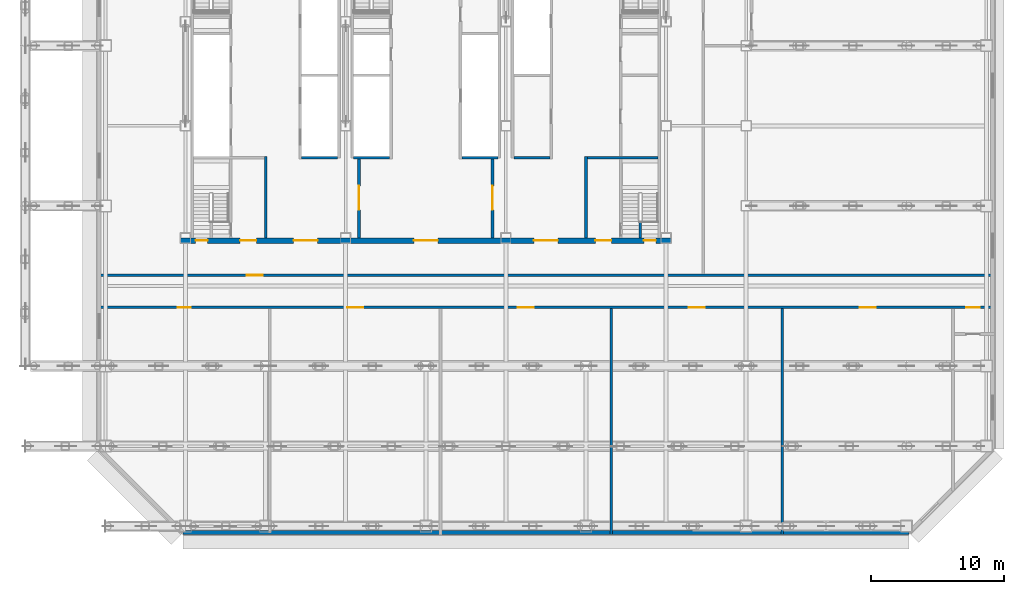
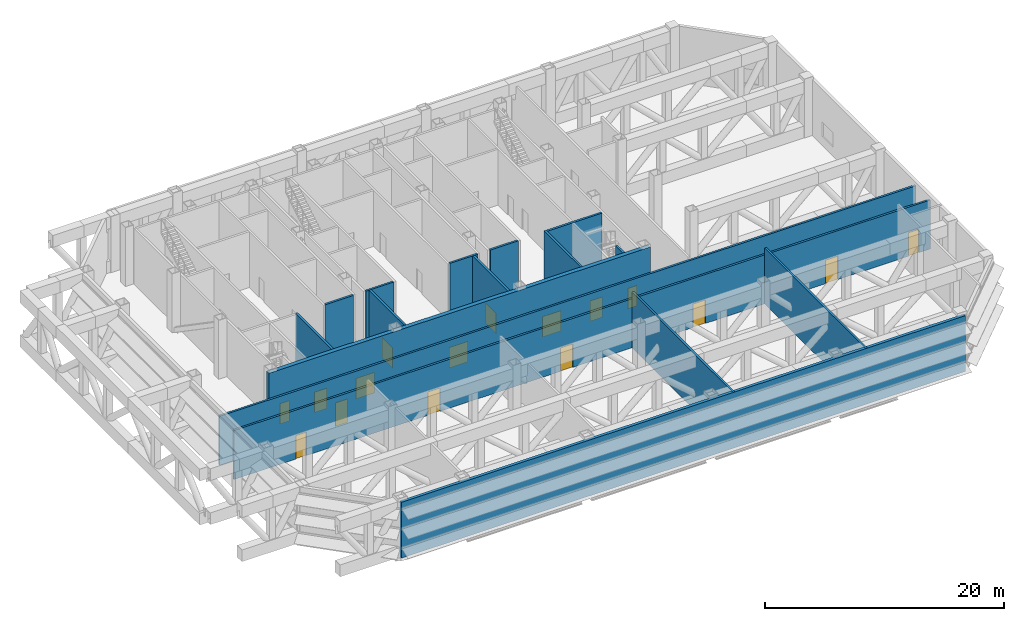
# One storey, part 6 of 17: 16 doors, 16 walls, 16 openings.
"""IFC4 building model written with IfcOpenShell, lengths in metres."""

from ifc_helpers import new_model, si_unit, direction, frame, frame_2d, origin, place, context, subcontext, project, spatial, rectangle, extrude, material, layer, layer_set, type_object, element, fill, save


model = new_model("IFC4")

# Units and contexts
model_context = context("Model", 3, precision=1e-05, world=origin(), true_north=direction((0.0, 1.0)))
body_context = subcontext(model_context, "Body", "Model", "MODEL_VIEW")
ifc_project = project(units=[si_unit("LENGTHUNIT", "METRE"), si_unit("AREAUNIT", "SQUARE_METRE"), si_unit("VOLUMEUNIT", "CUBIC_METRE"), si_unit("PLANEANGLEUNIT", "RADIAN"), si_unit("MASSUNIT", "GRAM", prefix="KILO")], contexts=[model_context])

# Site, building, storey
site_placement = place(None, origin())
site = spatial("IfcSite", under=ifc_project, at=site_placement, CompositionType="ELEMENT")
building_placement = place(site_placement, origin())
building = spatial("IfcBuilding", under=site, at=building_placement, Name="Sorahane Residences", CompositionType="ELEMENT")
storey_placement = place(building_placement, frame((0.0, 0.0, 90.199951171875)))
storey = spatial("IfcBuildingStorey", under=building, at=storey_placement, Name="L19", CompositionType="ELEMENT", Elevation=90.199951171875)

# Wall, opening, door
ifc_material_1 = material(Name="Concrete blockwork C20 wall", Category="masonry")
ifc_layer_1 = layer(ifc_material_1, 0.199951171875)
ifc_layer_set_1 = layer_set([ifc_layer_1], Name="Corridor wall 200 EI 120")
wall_type_1 = type_object("IfcWallType", Name="Corridor wall 200 EI 120", PredefinedType="SOLIDWALL", material=ifc_layer_set_1)
wall_1_placement = place(storey_placement, frame((-0.60009765625, 18.800048828125, 0.0), z_axis=(0.0, 0.0, 1.0), x_axis=(1.0, 0.0, 0.0)))
wall_1 = element("IfcWall", 1, at=wall_1_placement, inside=storey, type_object=wall_type_1, Name="L19 corridor wall", PredefinedType="SOLIDWALL", context=body_context, shape_type="SweptSolid", body=[
    extrude(rectangle(XDim=67.2001953125, YDim=0.199951171875, at=frame_2d((33.60009765625, 0.0))), origin(), (0.0, 0.0, 1.0), 5.0),
])
opening_1_placement = place(wall_1_placement, frame((11.199951171875, 0.0, 0.0)))
opening_1 = element("IfcOpeningElement", 2, at=opening_1_placement, cuts=wall_1, Name="Opening L19-08", PredefinedType="OPENING", context=body_context, shape_type="SweptSolid", body=[
    extrude(rectangle(XDim=1.199951171875, YDim=2.39990234375, at=frame_2d((0.60009765625, 1.199951171875))), frame((0.0, 0.10986328125, 0.0), z_axis=(0.0, -1.0, 0.0), x_axis=(1.0, 0.0, 0.0)), (0.0, 0.0, 1.0), 0.219970703125),
])
ifc_material_2 = material(Name="Steel", Category="steel")
door_type_1 = type_object("IfcDoorType", Name="Lobby door 1200x2400 FD60", OperationType="NOTDEFINED", PredefinedType="DOOR", material=ifc_material_2)
door_1_placement = place(opening_1_placement, frame((1.199951171875, 0.0, 0.0), z_axis=(0.0, 0.0, 1.0), x_axis=(-1.0, 0.0, 0.0)))
door_1 = element("IfcDoor", 3, at=door_1_placement, inside=storey, type_object=door_type_1, Name="Lobby door L19-08", OperationType="SINGLE_SWING_LEFT", OverallHeight=2.39990234375, OverallWidth=1.199951171875, PredefinedType="DOOR", context=body_context, shape_type="SweptSolid", body=[
    extrude(rectangle(XDim=1.199951171875, YDim=2.39990234375, at=frame_2d((0.60009765625, 1.199951171875))), frame((0.0, 0.02490234375, 0.0), z_axis=(0.0, -1.0, 0.0), x_axis=(1.0, 0.0, 0.0)), (0.0, 0.0, 1.0), 0.050048828125),
])
fill(opening_1, door_1)

# Wall
ifc_material_3 = material(Name="Graphite insulated metal-clad wall")
ifc_layer_2 = layer(ifc_material_3, 0.300048828125)
ifc_layer_set_2 = layer_set([ifc_layer_2], Name="External wall insulated metal-clad 300")
wall_type_2 = type_object("IfcWallType", Name="External wall insulated metal-clad 300", PredefinedType="SOLIDWALL", material=ifc_layer_set_2)
wall_2_placement = place(storey_placement, frame((5.805419921875, -0.469970703125, 0.0), z_axis=(0.0, 0.0, 1.0), x_axis=(1.0, 0.0, 0.0)))
element("IfcWall", 4, at=wall_2_placement, inside=storey, type_object=wall_type_2, Name="External plant wall L19 S1", PredefinedType="SOLIDWALL", context=body_context, shape_type="SweptSolid", body=[
    extrude(rectangle(XDim=54.38916015625, YDim=0.300048828125, at=frame_2d((27.194580078125, 0.0))), origin(), (0.0, 0.0, 1.0), 5.699951171875),
])

# Wall, openings, doors
ifc_material_4 = material(Name="Concrete blockwork C20 wall", Category="masonry")
ifc_layer_3 = layer(ifc_material_4, 0.199951171875)
ifc_layer_set_3 = layer_set([ifc_layer_3], Name="Fire wall 200 EI 120")
wall_type_3 = type_object("IfcWallType", Name="Fire wall 200 EI 120", PredefinedType="SOLIDWALL", material=ifc_layer_set_3)
wall_3_placement = place(storey_placement, frame((-0.60009765625, 16.39990234375, 0.0), z_axis=(0.0, 0.0, 1.0), x_axis=(1.0, 0.0, 0.0)))
wall_3 = element("IfcWall", 5, at=wall_3_placement, inside=storey, type_object=wall_type_3, Name="L19 fire wall", PredefinedType="SOLIDWALL", context=body_context, shape_type="SweptSolid", body=[
    extrude(rectangle(XDim=67.2001953125, YDim=0.199951171875, at=frame_2d((33.60009765625, 0.0))), origin(), (0.0, 0.0, 1.0), 5.0),
])
opening_2_placement = place(wall_3_placement, frame((6.0, 0.0, 0.0)))
opening_2 = element("IfcOpeningElement", 6, at=opening_2_placement, cuts=wall_3, Name="Opening L19-01", PredefinedType="OPENING", context=body_context, shape_type="SweptSolid", body=[
    extrude(rectangle(XDim=1.0, YDim=2.39990234375, at=frame_2d((0.5, 1.199951171875))), frame((0.0, 0.10986328125, 0.0), z_axis=(0.0, -1.0, 0.0), x_axis=(1.0, 0.0, 0.0)), (0.0, 0.0, 1.0), 0.219970703125),
])
opening_3_placement = place(wall_3_placement, frame((18.699951171875, 0.0, 0.0)))
opening_3 = element("IfcOpeningElement", 7, at=opening_3_placement, cuts=wall_3, Name="Opening L19-02", PredefinedType="OPENING", context=body_context, shape_type="SweptSolid", body=[
    extrude(rectangle(XDim=1.199951171875, YDim=2.39990234375, at=frame_2d((0.60009765625, 1.199951171875))), frame((0.0, 0.10986328125, 0.0), z_axis=(0.0, -1.0, 0.0), x_axis=(1.0, 0.0, 0.0)), (0.0, 0.0, 1.0), 0.219970703125),
])
opening_4_placement = place(wall_3_placement, frame((31.5, 0.0, 0.0)))
opening_4 = element("IfcOpeningElement", 8, at=opening_4_placement, cuts=wall_3, Name="Opening L19-03", PredefinedType="OPENING", context=body_context, shape_type="SweptSolid", body=[
    extrude(rectangle(XDim=1.199951171875, YDim=2.39990234375, at=frame_2d((0.60009765625, 1.199951171875))), frame((0.0, 0.10986328125, 0.0), z_axis=(0.0, -1.0, 0.0), x_axis=(1.0, 0.0, 0.0)), (0.0, 0.0, 1.0), 0.219970703125),
])
opening_5_placement = place(wall_3_placement, frame((44.300048828125, 0.0, 0.0)))
opening_5 = element("IfcOpeningElement", 9, at=opening_5_placement, cuts=wall_3, Name="Opening L19-04", PredefinedType="OPENING", context=body_context, shape_type="SweptSolid", body=[
    extrude(rectangle(XDim=1.199951171875, YDim=2.39990234375, at=frame_2d((0.60009765625, 1.199951171875))), frame((0.0, 0.10986328125, 0.0), z_axis=(0.0, -1.0, 0.0), x_axis=(1.0, 0.0, 0.0)), (0.0, 0.0, 1.0), 0.219970703125),
])
opening_6_placement = place(wall_3_placement, frame((57.10009765625, 0.0, 0.0)))
opening_6 = element("IfcOpeningElement", 10, at=opening_6_placement, cuts=wall_3, Name="Opening L19-05", PredefinedType="OPENING", context=body_context, shape_type="SweptSolid", body=[
    extrude(rectangle(XDim=1.199951171875, YDim=2.39990234375, at=frame_2d((0.60009765625, 1.199951171875))), frame((0.0, 0.10986328125, 0.0), z_axis=(0.0, -1.0, 0.0), x_axis=(1.0, 0.0, 0.0)), (0.0, 0.0, 1.0), 0.219970703125),
])
opening_7_placement = place(wall_3_placement, frame((65.10009765625, 0.0, 0.0)))
opening_7 = element("IfcOpeningElement", 11, at=opening_7_placement, cuts=wall_3, Name="Opening L19-06", PredefinedType="OPENING", context=body_context, shape_type="SweptSolid", body=[
    extrude(rectangle(XDim=1.0, YDim=2.39990234375, at=frame_2d((0.5, 1.199951171875))), frame((0.0, 0.10986328125, 0.0), z_axis=(0.0, -1.0, 0.0), x_axis=(1.0, 0.0, 0.0)), (0.0, 0.0, 1.0), 0.219970703125),
])
ifc_material_5 = material(Name="Steel", Category="steel")
door_type_2 = type_object("IfcDoorType", Name="Fire door 1000x2400 FD60", OperationType="NOTDEFINED", PredefinedType="DOOR", material=ifc_material_5)
door_2_placement = place(opening_2_placement, origin())
door_2 = element("IfcDoor", 12, at=door_2_placement, inside=storey, type_object=door_type_2, Name="Fire door L19-01", OperationType="SINGLE_SWING_LEFT", OverallHeight=2.39990234375, OverallWidth=1.0, PredefinedType="DOOR", context=body_context, shape_type="SweptSolid", body=[
    extrude(rectangle(XDim=1.0, YDim=2.39990234375, at=frame_2d((0.5, 1.199951171875))), frame((0.0, 0.02490234375, 0.0), z_axis=(0.0, -1.0, 0.0), x_axis=(1.0, 0.0, 0.0)), (0.0, 0.0, 1.0), 0.050048828125),
])
fill(opening_2, door_2)
door_3_placement = place(opening_7_placement, origin())
door_3 = element("IfcDoor", 13, at=door_3_placement, inside=storey, type_object=door_type_2, Name="Fire door L19-06", OperationType="SINGLE_SWING_RIGHT", OverallHeight=2.39990234375, OverallWidth=1.0, PredefinedType="DOOR", context=body_context, shape_type="SweptSolid", body=[
    extrude(rectangle(XDim=1.0, YDim=2.39990234375, at=frame_2d((0.5, 1.199951171875))), frame((0.0, 0.02490234375, 0.0), z_axis=(0.0, -1.0, 0.0), x_axis=(1.0, 0.0, 0.0)), (0.0, 0.0, 1.0), 0.050048828125),
])
fill(opening_7, door_3)
ifc_material_6 = material(Name="Steel", Category="steel")
door_type_3 = type_object("IfcDoorType", Name="Plant door 1200x2400 FD60", OperationType="NOTDEFINED", PredefinedType="DOOR", material=ifc_material_6)
door_4_placement = place(opening_3_placement, origin())
door_4 = element("IfcDoor", 14, at=door_4_placement, inside=storey, type_object=door_type_3, Name="Plant door L19-02", OperationType="SINGLE_SWING_RIGHT", OverallHeight=2.39990234375, OverallWidth=1.199951171875, PredefinedType="DOOR", context=body_context, shape_type="SweptSolid", body=[
    extrude(rectangle(XDim=1.199951171875, YDim=2.39990234375, at=frame_2d((0.60009765625, 1.199951171875))), frame((0.0, 0.02490234375, 0.0), z_axis=(0.0, -1.0, 0.0), x_axis=(1.0, 0.0, 0.0)), (0.0, 0.0, 1.0), 0.050048828125),
])
fill(opening_3, door_4)
door_5_placement = place(opening_4_placement, frame((1.199951171875, 0.0, 0.0), z_axis=(0.0, 0.0, 1.0), x_axis=(-1.0, 0.0, 0.0)))
door_5 = element("IfcDoor", 15, at=door_5_placement, inside=storey, type_object=door_type_3, Name="Plant door L19-03", OperationType="SINGLE_SWING_RIGHT", OverallHeight=2.39990234375, OverallWidth=1.199951171875, PredefinedType="DOOR", context=body_context, shape_type="SweptSolid", body=[
    extrude(rectangle(XDim=1.199951171875, YDim=2.39990234375, at=frame_2d((0.60009765625, 1.199951171875))), frame((0.0, 0.02490234375, 0.0), z_axis=(0.0, -1.0, 0.0), x_axis=(1.0, 0.0, 0.0)), (0.0, 0.0, 1.0), 0.050048828125),
])
fill(opening_4, door_5)
door_6_placement = place(opening_5_placement, frame((1.199951171875, 0.0, 0.0), z_axis=(0.0, 0.0, 1.0), x_axis=(-1.0, 0.0, 0.0)))
door_6 = element("IfcDoor", 16, at=door_6_placement, inside=storey, type_object=door_type_3, Name="Plant door L19-04", OperationType="SINGLE_SWING_LEFT", OverallHeight=2.39990234375, OverallWidth=1.199951171875, PredefinedType="DOOR", context=body_context, shape_type="SweptSolid", body=[
    extrude(rectangle(XDim=1.199951171875, YDim=2.39990234375, at=frame_2d((0.60009765625, 1.199951171875))), frame((0.0, 0.02490234375, 0.0), z_axis=(0.0, -1.0, 0.0), x_axis=(1.0, 0.0, 0.0)), (0.0, 0.0, 1.0), 0.050048828125),
])
fill(opening_5, door_6)
door_7_placement = place(opening_6_placement, origin())
door_7 = element("IfcDoor", 17, at=door_7_placement, inside=storey, type_object=door_type_3, Name="Plant door L19-05", OperationType="SINGLE_SWING_LEFT", OverallHeight=2.39990234375, OverallWidth=1.199951171875, PredefinedType="DOOR", context=body_context, shape_type="SweptSolid", body=[
    extrude(rectangle(XDim=1.199951171875, YDim=2.39990234375, at=frame_2d((0.60009765625, 1.199951171875))), frame((0.0, 0.02490234375, 0.0), z_axis=(0.0, -1.0, 0.0), x_axis=(1.0, 0.0, 0.0)), (0.0, 0.0, 1.0), 0.050048828125),
])
fill(opening_6, door_7)

# Walls
ifc_material_7 = material(Name="Concrete C30", Category="concrete")
ifc_layer_4 = layer(ifc_material_7, 0.199951171875)
ifc_layer_set_4 = layer_set([ifc_layer_4], Name="Front room wall 200 EI 120")
wall_type_4 = type_object("IfcWallType", Name="Front room wall 200 EI 120", PredefinedType="PARTITIONING", material=ifc_layer_set_4)
for number, where, z_axis, x_axis, name in (
    (18, (12.0, 21.60009765625, 0.0), (0.0, 0.0, 1.0), (0.0, 1.0, 0.0), "L19 front room wall"),
    (19, (36.0, 21.60009765625, 0.0), (0.0, 0.0, 1.0), (0.0, 1.0, 0.0), "L19 front room wall"),
):
    element("IfcWall", number, at=place(storey_placement, frame(where, z_axis=z_axis, x_axis=x_axis)), inside=storey, type_object=wall_type_4, Name=name, PredefinedType="PARTITIONING", context=body_context, shape_type="SweptSolid", body=[
        extrude(rectangle(XDim=6.099853515625, YDim=0.199951171875, at=frame_2d((3.0498046875, 0.0))), origin(), (0.0, 0.0, 1.0), 5.699951171875),
    ])
ifc_material_8 = material(Name="Concrete C30", Category="concrete")
ifc_layer_5 = layer(ifc_material_8, 0.199951171875)
ifc_layer_set_5 = layer_set([ifc_layer_5], Name="Lift shaft wall 200 EI 120")
wall_type_5 = type_object("IfcWallType", Name="Lift shaft wall 200 EI 120", PredefinedType="SOLIDWALL", material=ifc_layer_set_5)
for number, where, z_axis, x_axis, name in (
    (20, (14.699951171875, 27.60009765625, 0.0), (0.0, 0.0, 1.0), (1.0, 0.0, 0.0), "L19 lift shaft wall"),
    (21, (18.60009765625, 27.60009765625, 0.0), (0.0, 0.0, 1.0), (1.0, 0.0, 0.0), "L19 lift shaft wall"),
):
    element("IfcWall", number, at=place(storey_placement, frame(where, z_axis=z_axis, x_axis=x_axis)), inside=storey, type_object=wall_type_5, Name=name, PredefinedType="SOLIDWALL", context=body_context, shape_type="SweptSolid", body=[
        extrude(rectangle(XDim=2.699951171875, YDim=0.199951171875, at=frame_2d((1.35009765625, 0.0))), origin(), (0.0, 0.0, 1.0), 5.699951171875),
    ])
ifc_material_9 = material(Name="Concrete blockwork C20 wall", Category="masonry")
ifc_layer_6 = layer(ifc_material_9, 0.199951171875)
ifc_layer_set_6 = layer_set([ifc_layer_6], Name="Plant wall 200 EI 120")
wall_type_6 = type_object("IfcWallType", Name="Plant wall 200 EI 120", PredefinedType="SOLIDWALL", material=ifc_layer_set_6)
for number, where, z_axis, x_axis, name in (
    (22, (37.89990234375, -0.60009765625, 0.0), (0.0, 0.0, 1.0), (0.0, 1.0, 0.0), "L19 plant wall"),
    (23, (50.699951171875, -0.60009765625, 0.0), (0.0, 0.0, 1.0), (0.0, 1.0, 0.0), "L19 plant wall"),
):
    element("IfcWall", number, at=place(storey_placement, frame(where, z_axis=z_axis, x_axis=x_axis)), inside=storey, type_object=wall_type_6, Name=name, PredefinedType="SOLIDWALL", context=body_context, shape_type="SweptSolid", body=[
        extrude(rectangle(XDim=16.900146484375, YDim=0.199951171875, at=frame_2d((8.4501953125, 0.0))), origin(), (0.0, 0.0, 1.0), 5.699951171875),
    ])
ifc_material_10 = material(Name="Concrete C30", Category="concrete")
ifc_layer_7 = layer(ifc_material_10, 0.199951171875)
ifc_layer_set_7 = layer_set([ifc_layer_7], Name="Riser shaft wall 200 EI 120")
wall_type_7 = type_object("IfcWallType", Name="Riser shaft wall 200 EI 120", PredefinedType="SOLIDWALL", material=ifc_layer_set_7)
wall_4_placement = place(storey_placement, frame((26.699951171875, 27.60009765625, 0.0), z_axis=(0.0, 0.0, 1.0), x_axis=(1.0, 0.0, 0.0)))
element("IfcWall", 24, at=wall_4_placement, inside=storey, type_object=wall_type_7, Name="L19 riser wall", PredefinedType="SOLIDWALL", context=body_context, shape_type="SweptSolid", body=[
    extrude(rectangle(XDim=2.699951171875, YDim=0.199951171875, at=frame_2d((1.35009765625, 0.0))), origin(), (0.0, 0.0, 1.0), 5.699951171875),
])

# Wall, opening, door
ifc_material_11 = material(Name="Concrete C30", Category="concrete")
ifc_layer_8 = layer(ifc_material_11, 0.199951171875)
ifc_layer_set_8 = layer_set([ifc_layer_8], Name="Service room partition 200 EI 60")
wall_type_8 = type_object("IfcWallType", Name="Service room partition 200 EI 60", PredefinedType="PARTITIONING", material=ifc_layer_set_8)
wall_5_placement = place(storey_placement, frame((19.0, 21.60009765625, 0.0), z_axis=(0.0, 0.0, 1.0), x_axis=(0.0, 1.0, 0.0)))
wall_5 = element("IfcWall", 25, at=wall_5_placement, inside=storey, type_object=wall_type_8, Name="L19 service room wall", PredefinedType="PARTITIONING", context=body_context, shape_type="SweptSolid", body=[
    extrude(rectangle(XDim=6.0, YDim=0.199951171875, at=frame_2d((3.0, 0.0))), origin(), (0.0, 0.0, 1.0), 5.699951171875),
])
opening_8_placement = place(wall_5_placement, frame((2.10009765625, 0.0, 0.0)))
opening_8 = element("IfcOpeningElement", 26, at=opening_8_placement, cuts=wall_5, Name="Opening L19-C02", PredefinedType="OPENING", context=body_context, shape_type="SweptSolid", body=[
    extrude(rectangle(XDim=1.800048828125, YDim=2.10009765625, at=frame_2d((0.89990234375, 1.050048828125))), frame((0.0, 0.10986328125, 0.0), z_axis=(0.0, -1.0, 0.0), x_axis=(1.0, 0.0, 0.0)), (0.0, 0.0, 1.0), 0.219970703125),
])
ifc_material_12 = material(Name="Steel", Category="steel")
door_type_4 = type_object("IfcDoorType", Name="Waiting hall door 1800x2100 FD60", OperationType="NOTDEFINED", PredefinedType="DOOR", material=ifc_material_12)
door_8_placement = place(opening_8_placement, origin())
door_8 = element("IfcDoor", 27, at=door_8_placement, inside=storey, type_object=door_type_4, Name="Waiting hall door Residents' waiting hall west L19", OperationType="SINGLE_SWING_LEFT", OverallHeight=2.10009765625, OverallWidth=1.800048828125, PredefinedType="DOOR", context=body_context, shape_type="SweptSolid", body=[
    extrude(rectangle(XDim=1.800048828125, YDim=2.10009765625, at=frame_2d((0.89990234375, 1.050048828125))), frame((0.0, 0.02490234375, 0.0), z_axis=(0.0, -1.0, 0.0), x_axis=(1.0, 0.0, 0.0)), (0.0, 0.0, 1.0), 0.050048828125),
])
fill(opening_8, door_8)

wall_6_placement = place(storey_placement, frame((29.0, 21.60009765625, 0.0), z_axis=(0.0, 0.0, 1.0), x_axis=(0.0, 1.0, 0.0)))
wall_6 = element("IfcWall", 28, at=wall_6_placement, inside=storey, type_object=wall_type_8, Name="L19 service room wall", PredefinedType="PARTITIONING", context=body_context, shape_type="SweptSolid", body=[
    extrude(rectangle(XDim=6.0, YDim=0.199951171875, at=frame_2d((3.0, 0.0))), origin(), (0.0, 0.0, 1.0), 5.699951171875),
])
opening_9_placement = place(wall_6_placement, frame((2.10009765625, 0.0, 0.0)))
opening_9 = element("IfcOpeningElement", 29, at=opening_9_placement, cuts=wall_6, Name="Opening L19-C04", PredefinedType="OPENING", context=body_context, shape_type="SweptSolid", body=[
    extrude(rectangle(XDim=1.800048828125, YDim=2.10009765625, at=frame_2d((0.89990234375, 1.050048828125))), frame((0.0, 0.10986328125, 0.0), z_axis=(0.0, -1.0, 0.0), x_axis=(1.0, 0.0, 0.0)), (0.0, 0.0, 1.0), 0.219970703125),
])
door_9_placement = place(opening_9_placement, origin())
door_9 = element("IfcDoor", 30, at=door_9_placement, inside=storey, type_object=door_type_4, Name="Waiting hall door Residents' waiting hall centre L19", OperationType="SINGLE_SWING_LEFT", OverallHeight=2.10009765625, OverallWidth=1.800048828125, PredefinedType="DOOR", context=body_context, shape_type="SweptSolid", body=[
    extrude(rectangle(XDim=1.800048828125, YDim=2.10009765625, at=frame_2d((0.89990234375, 1.050048828125))), frame((0.0, 0.02490234375, 0.0), z_axis=(0.0, -1.0, 0.0), x_axis=(1.0, 0.0, 0.0)), (0.0, 0.0, 1.0), 0.050048828125),
])
fill(opening_9, door_9)

# Walls
wall_7_placement = place(storey_placement, frame((30.60009765625, 27.60009765625, 0.0), z_axis=(0.0, 0.0, 1.0), x_axis=(1.0, 0.0, 0.0)))
element("IfcWall", 31, at=wall_7_placement, inside=storey, type_object=wall_type_8, Name="L19 service room wall", PredefinedType="PARTITIONING", context=body_context, shape_type="SweptSolid", body=[
    extrude(rectangle(XDim=2.699951171875, YDim=0.199951171875, at=frame_2d((1.35009765625, 0.0))), origin(), (0.0, 0.0, 1.0), 5.699951171875),
])
ifc_material_13 = material(Name="Concrete C30", Category="concrete")
ifc_layer_9 = layer(ifc_material_13, 0.199951171875)
ifc_layer_set_9 = layer_set([ifc_layer_9], Name="Stair enclosure wall 200 EI 120")
wall_type_9 = type_object("IfcWallType", Name="Stair enclosure wall 200 EI 120", PredefinedType="SOLIDWALL", material=ifc_layer_set_9)
wall_8_placement = place(storey_placement, frame((40.074951171875, 21.60009765625, 0.0), z_axis=(0.0, 0.0, 1.0), x_axis=(0.0, 1.0, 0.0)))
element("IfcWall", 32, at=wall_8_placement, inside=storey, type_object=wall_type_9, Name="L19 stair enclosure wall", PredefinedType="SOLIDWALL", context=body_context, shape_type="SweptSolid", body=[
    extrude(rectangle(XDim=1.25, YDim=0.199951171875, at=frame_2d((0.625, 0.0))), origin(), (0.0, 0.0, 1.0), 5.699951171875),
])
wall_9_placement = place(storey_placement, frame((36.10009765625, 27.60009765625, 0.0), z_axis=(0.0, 0.0, 1.0), x_axis=(1.0, 0.0, 0.0)))
element("IfcWall", 33, at=wall_9_placement, inside=storey, type_object=wall_type_9, Name="L19 stair enclosure wall", PredefinedType="SOLIDWALL", context=body_context, shape_type="SweptSolid", body=[
    extrude(rectangle(XDim=5.2998046875, YDim=0.199951171875, at=frame_2d((2.64990234375, 0.0))), origin(), (0.0, 0.0, 1.0), 5.699951171875),
])

# Wall, openings, doors
ifc_material_14 = material(Name="Concrete C30", Category="concrete")
ifc_layer_10 = layer(ifc_material_14, 0.39990234375)
ifc_layer_set_10 = layer_set([ifc_layer_10], Name="Waiting hall wall 400 EI 120")
wall_type_10 = type_object("IfcWallType", Name="Waiting hall wall 400 EI 120", PredefinedType="SOLIDWALL", material=ifc_layer_set_10)
wall_10_placement = place(storey_placement, frame((5.60009765625, 21.39990234375, 0.0), z_axis=(0.0, 0.0, 1.0), x_axis=(1.0, 0.0, 0.0)))
wall_10 = element("IfcWall", 34, at=wall_10_placement, inside=storey, type_object=wall_type_10, Name="L19 waiting hall wall", PredefinedType="SOLIDWALL", context=body_context, shape_type="SweptSolid", body=[
    extrude(rectangle(XDim=36.7998046875, YDim=0.39990234375, at=frame_2d((18.39990234375, 0.0))), origin(), (0.0, 0.0, 1.0), 5.699951171875),
])
opening_10_placement = place(wall_10_placement, frame((8.5, 0.0, 0.0)))
opening_10 = element("IfcOpeningElement", 35, at=opening_10_placement, cuts=wall_10, Name="Opening L19-C01", PredefinedType="OPENING", context=body_context, shape_type="SweptSolid", body=[
    extrude(rectangle(XDim=1.800048828125, YDim=2.10009765625, at=frame_2d((0.89990234375, 1.050048828125))), frame((0.0, 0.2099609375, 0.0), z_axis=(0.0, -1.0, 0.0), x_axis=(1.0, 0.0, 0.0)), (0.0, 0.0, 1.0), 0.419921875),
])
opening_11_placement = place(wall_10_placement, frame((17.5, 0.0, 0.0)))
opening_11 = element("IfcOpeningElement", 36, at=opening_11_placement, cuts=wall_10, Name="Opening L19-C03", PredefinedType="OPENING", context=body_context, shape_type="SweptSolid", body=[
    extrude(rectangle(XDim=1.800048828125, YDim=2.10009765625, at=frame_2d((0.89990234375, 1.050048828125))), frame((0.0, 0.2099609375, 0.0), z_axis=(0.0, -1.0, 0.0), x_axis=(1.0, 0.0, 0.0)), (0.0, 0.0, 1.0), 0.419921875),
])
opening_12_placement = place(wall_10_placement, frame((26.5, 0.0, 0.0)))
opening_12 = element("IfcOpeningElement", 37, at=opening_12_placement, cuts=wall_10, Name="Opening L19-C05", PredefinedType="OPENING", context=body_context, shape_type="SweptSolid", body=[
    extrude(rectangle(XDim=1.800048828125, YDim=2.10009765625, at=frame_2d((0.89990234375, 1.050048828125))), frame((0.0, 0.2099609375, 0.0), z_axis=(0.0, -1.0, 0.0), x_axis=(1.0, 0.0, 0.0)), (0.0, 0.0, 1.0), 0.419921875),
])
opening_13_placement = place(wall_10_placement, frame((4.5, 0.0, 0.0)))
opening_13 = element("IfcOpeningElement", 38, at=opening_13_placement, cuts=wall_10, Name="Opening L19-C06", PredefinedType="OPENING", context=body_context, shape_type="SweptSolid", body=[
    extrude(rectangle(XDim=1.199951171875, YDim=2.10009765625, at=frame_2d((0.60009765625, 1.050048828125))), frame((0.0, 0.2099609375, 0.0), z_axis=(0.0, -1.0, 0.0), x_axis=(1.0, 0.0, 0.0)), (0.0, 0.0, 1.0), 0.419921875),
])
opening_14_placement = place(wall_10_placement, frame((31.10009765625, 0.0, 0.0)))
opening_14 = element("IfcOpeningElement", 39, at=opening_14_placement, cuts=wall_10, Name="Opening L19-C07", PredefinedType="OPENING", context=body_context, shape_type="SweptSolid", body=[
    extrude(rectangle(XDim=1.199951171875, YDim=2.10009765625, at=frame_2d((0.60009765625, 1.050048828125))), frame((0.0, 0.2099609375, 0.0), z_axis=(0.0, -1.0, 0.0), x_axis=(1.0, 0.0, 0.0)), (0.0, 0.0, 1.0), 0.419921875),
])
opening_15_placement = place(wall_10_placement, frame((1.16259765625, 0.0, 0.0)))
opening_15 = element("IfcOpeningElement", 40, at=opening_15_placement, cuts=wall_10, Name="Opening L19-C27", PredefinedType="OPENING", context=body_context, shape_type="SweptSolid", body=[
    extrude(rectangle(XDim=0.89990234375, YDim=2.10009765625, at=frame_2d((0.449951171875, 1.050048828125))), frame((0.0, 0.2099609375, 0.0), z_axis=(0.0, -1.0, 0.0), x_axis=(1.0, 0.0, 0.0)), (0.0, 0.0, 1.0), 0.419921875),
])
opening_16_placement = place(wall_10_placement, frame((34.737548828125, 0.0, 0.0)))
opening_16 = element("IfcOpeningElement", 41, at=opening_16_placement, cuts=wall_10, Name="Opening L19-C30", PredefinedType="OPENING", context=body_context, shape_type="SweptSolid", body=[
    extrude(rectangle(XDim=0.89990234375, YDim=2.10009765625, at=frame_2d((0.449951171875, 1.050048828125))), frame((0.0, 0.2099609375, 0.0), z_axis=(0.0, -1.0, 0.0), x_axis=(1.0, 0.0, 0.0)), (0.0, 0.0, 1.0), 0.419921875),
])
ifc_material_15 = material(Name="Steel", Category="steel")
door_type_5 = type_object("IfcDoorType", Name="Refuge stair door 900x2100 FD120", OperationType="NOTDEFINED", PredefinedType="DOOR", material=ifc_material_15)
door_10_placement = place(opening_15_placement, origin())
door_10 = element("IfcDoor", 42, at=door_10_placement, inside=storey, type_object=door_type_5, Name="Refuge stair door S4 L19", OperationType="SINGLE_SWING_LEFT", OverallHeight=2.10009765625, OverallWidth=0.89990234375, PredefinedType="DOOR", context=body_context, shape_type="SweptSolid", body=[
    extrude(rectangle(XDim=0.89990234375, YDim=2.10009765625, at=frame_2d((0.449951171875, 1.050048828125))), frame((0.0, 0.02490234375, 0.0), z_axis=(0.0, -1.0, 0.0), x_axis=(1.0, 0.0, 0.0)), (0.0, 0.0, 1.0), 0.050048828125),
])
fill(opening_15, door_10)
door_11_placement = place(opening_16_placement, origin())
door_11 = element("IfcDoor", 43, at=door_11_placement, inside=storey, type_object=door_type_5, Name="Refuge stair door S5 L19", OperationType="SINGLE_SWING_LEFT", OverallHeight=2.10009765625, OverallWidth=0.89990234375, PredefinedType="DOOR", context=body_context, shape_type="SweptSolid", body=[
    extrude(rectangle(XDim=0.89990234375, YDim=2.10009765625, at=frame_2d((0.449951171875, 1.050048828125))), frame((0.0, 0.02490234375, 0.0), z_axis=(0.0, -1.0, 0.0), x_axis=(1.0, 0.0, 0.0)), (0.0, 0.0, 1.0), 0.050048828125),
])
fill(opening_16, door_11)
ifc_material_16 = material(Name="Steel", Category="steel")
door_type_6 = type_object("IfcDoorType", Name="Stair front room door 1200x2100 FD120", OperationType="NOTDEFINED", PredefinedType="DOOR", material=ifc_material_16)
door_12_placement = place(opening_13_placement, frame((1.199951171875, 0.0, 0.0), z_axis=(0.0, 0.0, 1.0), x_axis=(-1.0, 0.0, 0.0)))
door_12 = element("IfcDoor", 44, at=door_12_placement, inside=storey, type_object=door_type_6, Name="Stair front room door Stair S4 front room L19", OperationType="SINGLE_SWING_LEFT", OverallHeight=2.10009765625, OverallWidth=1.199951171875, PredefinedType="DOOR", context=body_context, shape_type="SweptSolid", body=[
    extrude(rectangle(XDim=1.199951171875, YDim=2.10009765625, at=frame_2d((0.60009765625, 1.050048828125))), frame((0.0, 0.02490234375, 0.0), z_axis=(0.0, -1.0, 0.0), x_axis=(1.0, 0.0, 0.0)), (0.0, 0.0, 1.0), 0.050048828125),
])
fill(opening_13, door_12)
door_13_placement = place(opening_14_placement, frame((1.199951171875, 0.0, 0.0), z_axis=(0.0, 0.0, 1.0), x_axis=(-1.0, 0.0, 0.0)))
door_13 = element("IfcDoor", 45, at=door_13_placement, inside=storey, type_object=door_type_6, Name="Stair front room door Stair S5 front room L19", OperationType="SINGLE_SWING_LEFT", OverallHeight=2.10009765625, OverallWidth=1.199951171875, PredefinedType="DOOR", context=body_context, shape_type="SweptSolid", body=[
    extrude(rectangle(XDim=1.199951171875, YDim=2.10009765625, at=frame_2d((0.60009765625, 1.050048828125))), frame((0.0, 0.02490234375, 0.0), z_axis=(0.0, -1.0, 0.0), x_axis=(1.0, 0.0, 0.0)), (0.0, 0.0, 1.0), 0.050048828125),
])
fill(opening_14, door_13)
door_14_placement = place(opening_10_placement, frame((1.800048828125, 0.0, 0.0), z_axis=(0.0, 0.0, 1.0), x_axis=(-1.0, 0.0, 0.0)))
door_14 = element("IfcDoor", 46, at=door_14_placement, inside=storey, type_object=door_type_4, Name="Waiting hall door Residents' waiting hall west L19", OperationType="SINGLE_SWING_LEFT", OverallHeight=2.10009765625, OverallWidth=1.800048828125, PredefinedType="DOOR", context=body_context, shape_type="SweptSolid", body=[
    extrude(rectangle(XDim=1.800048828125, YDim=2.10009765625, at=frame_2d((0.89990234375, 1.050048828125))), frame((0.0, 0.02490234375, 0.0), z_axis=(0.0, -1.0, 0.0), x_axis=(1.0, 0.0, 0.0)), (0.0, 0.0, 1.0), 0.050048828125),
])
fill(opening_10, door_14)
door_15_placement = place(opening_11_placement, frame((1.800048828125, 0.0, 0.0), z_axis=(0.0, 0.0, 1.0), x_axis=(-1.0, 0.0, 0.0)))
door_15 = element("IfcDoor", 47, at=door_15_placement, inside=storey, type_object=door_type_4, Name="Waiting hall door Residents' waiting hall centre L19", OperationType="SINGLE_SWING_LEFT", OverallHeight=2.10009765625, OverallWidth=1.800048828125, PredefinedType="DOOR", context=body_context, shape_type="SweptSolid", body=[
    extrude(rectangle(XDim=1.800048828125, YDim=2.10009765625, at=frame_2d((0.89990234375, 1.050048828125))), frame((0.0, 0.02490234375, 0.0), z_axis=(0.0, -1.0, 0.0), x_axis=(1.0, 0.0, 0.0)), (0.0, 0.0, 1.0), 0.050048828125),
])
fill(opening_11, door_15)
door_16_placement = place(opening_12_placement, frame((1.800048828125, 0.0, 0.0), z_axis=(0.0, 0.0, 1.0), x_axis=(-1.0, 0.0, 0.0)))
door_16 = element("IfcDoor", 48, at=door_16_placement, inside=storey, type_object=door_type_4, Name="Waiting hall door Residents' waiting hall east L19", OperationType="SINGLE_SWING_LEFT", OverallHeight=2.10009765625, OverallWidth=1.800048828125, PredefinedType="DOOR", context=body_context, shape_type="SweptSolid", body=[
    extrude(rectangle(XDim=1.800048828125, YDim=2.10009765625, at=frame_2d((0.89990234375, 1.050048828125))), frame((0.0, 0.02490234375, 0.0), z_axis=(0.0, -1.0, 0.0), x_axis=(1.0, 0.0, 0.0)), (0.0, 0.0, 1.0), 0.050048828125),
])
fill(opening_12, door_16)

save(model, "model.ifc")
